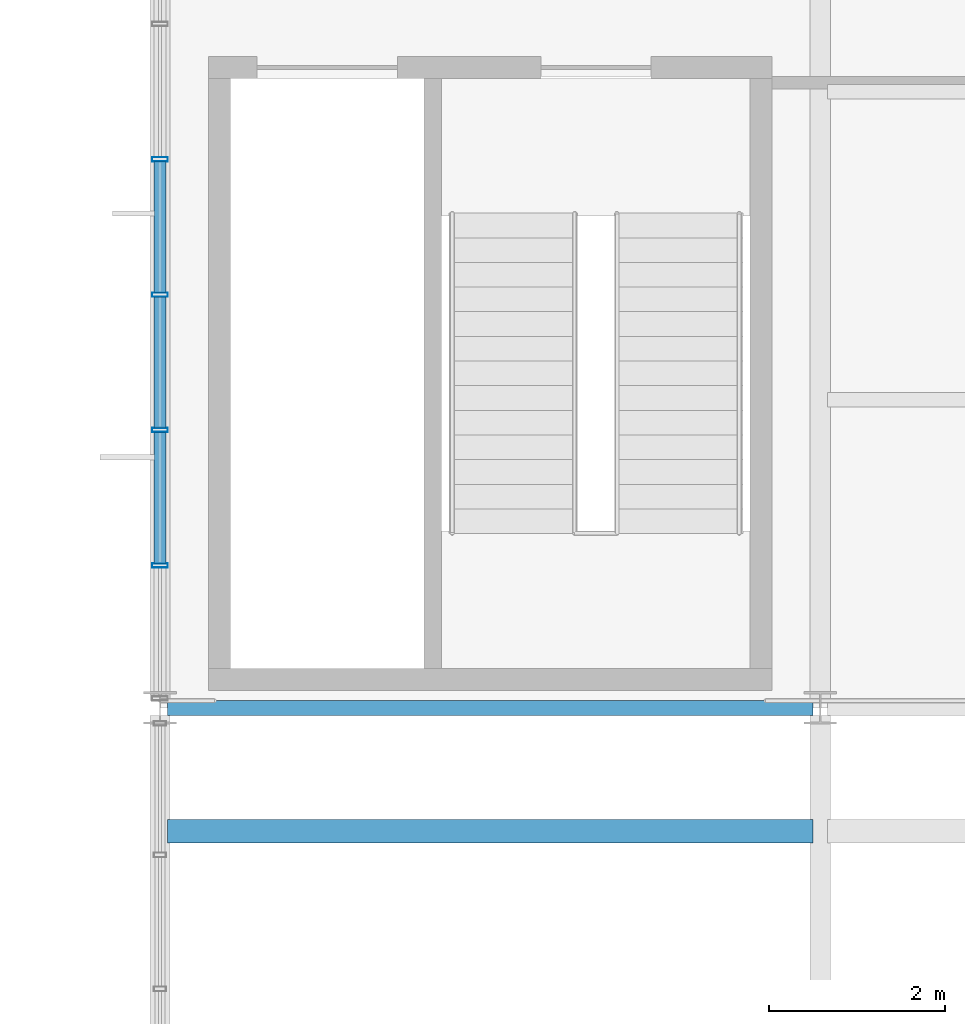
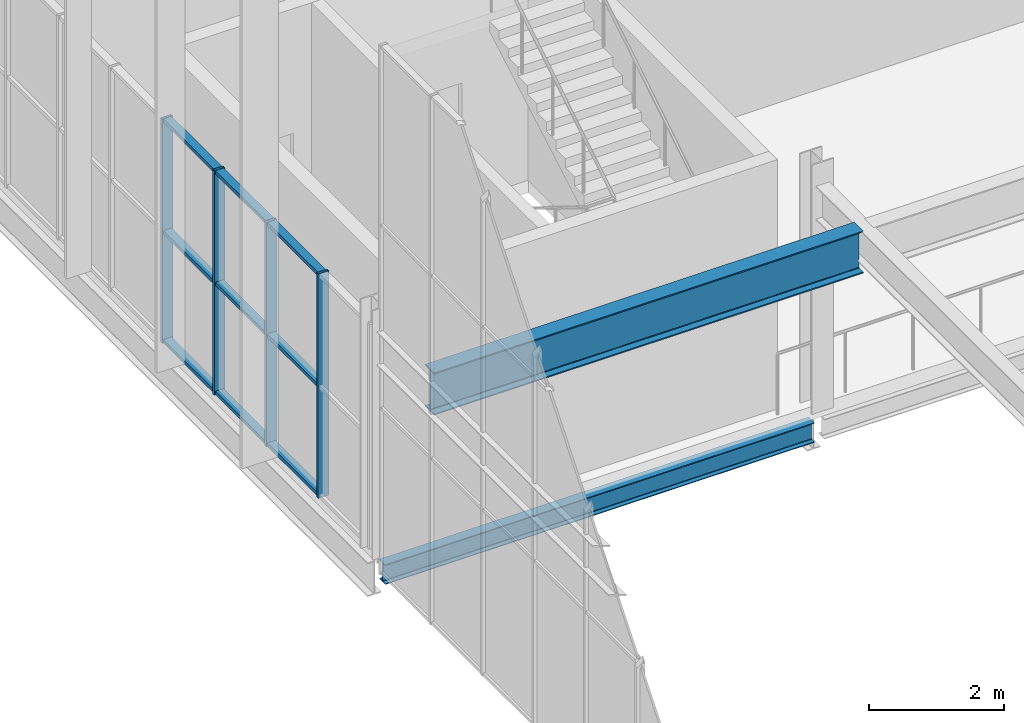
# One storey, part 74 of 324: 13 members, 2 beams, 1 element without a shape of its own.
"""IFC4 building model written with IfcOpenShell, lengths in metres."""

from ifc_helpers import new_model, si_unit, direction, frame, origin, origin_2d, place, context, subcontext, project, spatial, hollow_rectangle, i_section, extrude, material, layer, layer_set, material_profile, profile_set, type_object, element, aggregate, save


model = new_model("IFC4")

# Units and contexts
model_context = context("Model", 3, precision=1e-05, world=origin(), true_north=direction((0.0, 1.0)))
body_context = subcontext(model_context, "Body", "Model", "MODEL_VIEW")
ifc_project = project(units=[si_unit("LENGTHUNIT", "METRE"), si_unit("AREAUNIT", "SQUARE_METRE"), si_unit("VOLUMEUNIT", "CUBIC_METRE"), si_unit("PLANEANGLEUNIT", "RADIAN"), si_unit("MASSUNIT", "GRAM", prefix="KILO")], contexts=[model_context])

# Site, building, storey
site_placement = place(None, origin())
site = spatial("IfcSite", under=ifc_project, at=site_placement, CompositionType="ELEMENT")
building_placement = place(site_placement, origin())
building = spatial("IfcBuilding", under=site, at=building_placement, Name="Solvenia Promenade Tram Depot", CompositionType="ELEMENT")
storey_placement = place(building_placement, frame((0.0, 0.0, 4.5)))
storey = spatial("IfcBuildingStorey", under=building, at=storey_placement, Name="L01", CompositionType="ELEMENT", Elevation=4.5)

# Curtain wall, members
ifc_material_1 = material(Name="Anodized aluminium AW-6063 T6", Category="aluminium")
ifc_layer = layer(ifc_material_1, 0.14990234375, Name="Anodized aluminium AW-6063 T6", Category="aluminium")
ifc_layer_set = layer_set([ifc_layer], Name="Anodized aluminium AW-6063 T6")
curtain_wall_type = type_object("IfcCurtainWallType", Name="CW-Court-1500", PredefinedType="NOTDEFINED", material=ifc_layer_set)
curtain_wall_placement = place(storey_placement, origin())
curtain_wall = element("IfcCurtainWall", 1, at=curtain_wall_placement, inside=storey, type_object=curtain_wall_type, Name="Curtain Wall CW-V2W-L1-1", PredefinedType="NOTDEFINED")
ifc_material_profile_1 = material_profile(ifc_material_1, hollow_rectangle(XDim=0.179931640625, YDim=0.050048828125, WallThickness=0.00390625, at=origin_2d()), Name="ALU-M2", Category="aluminium")
ifc_profile_set_1 = profile_set([ifc_material_profile_1], Name="Anodized aluminium AW-6063 T6")
member_type_1 = type_object("IfcMemberType", Name="CWM-Mullion-2", PredefinedType="MULLION", material=ifc_profile_set_1)
member_1_placement = place(storey_placement, frame((105.0, 39.61767578125, 0.0), z_axis=(0.0, 0.0, 1.0), x_axis=(-1.0, 0.0, 0.0)))
member_1 = element("IfcMember", 2, at=member_1_placement, type_object=member_type_1, Name="CW-5 mullion 2", PredefinedType="MULLION", context=body_context, shape_type="SweptSolid", body=[
    extrude(hollow_rectangle(XDim=0.179931640625, YDim=0.050048828125, WallThickness=0.00390625, at=origin_2d()), origin(), (0.0, 0.0, 1.0), 4.050048828125),
])
member_2_placement = place(storey_placement, frame((105.0, 41.155517578125, 0.0), z_axis=(0.0, 0.0, 1.0), x_axis=(-1.0, 0.0, 0.0)))
member_2 = element("IfcMember", 3, at=member_2_placement, type_object=member_type_1, Name="CW-5 mullion 3", PredefinedType="MULLION", context=body_context, shape_type="SweptSolid", body=[
    extrude(hollow_rectangle(XDim=0.179931640625, YDim=0.050048828125, WallThickness=0.00390625, at=origin_2d()), origin(), (0.0, 0.0, 1.0), 4.050048828125),
])
member_3_placement = place(storey_placement, frame((105.0, 42.693359375, 0.0), z_axis=(0.0, 0.0, 1.0), x_axis=(-1.0, 0.0, 0.0)))
member_3 = element("IfcMember", 4, at=member_3_placement, type_object=member_type_1, Name="CW-5 mullion 4", PredefinedType="MULLION", context=body_context, shape_type="SweptSolid", body=[
    extrude(hollow_rectangle(XDim=0.179931640625, YDim=0.050048828125, WallThickness=0.00390625, at=origin_2d()), origin(), (0.0, 0.0, 1.0), 4.050048828125),
])
member_4_placement = place(storey_placement, frame((105.0, 44.231201171875, 0.0), z_axis=(0.0, 0.0, 1.0), x_axis=(-1.0, 0.0, 0.0)))
member_4 = element("IfcMember", 5, at=member_4_placement, type_object=member_type_1, Name="CW-5 mullion 5", PredefinedType="MULLION", context=body_context, shape_type="SweptSolid", body=[
    extrude(hollow_rectangle(XDim=0.179931640625, YDim=0.050048828125, WallThickness=0.00390625, at=origin_2d()), origin(), (0.0, 0.0, 1.0), 4.050048828125),
])
ifc_material_profile_2 = material_profile(ifc_material_1, hollow_rectangle(XDim=0.139892578125, YDim=0.06494140625, WallThickness=0.00390625, at=origin_2d()), Name="ALU-T2", Category="aluminium")
ifc_profile_set_2 = profile_set([ifc_material_profile_2], Name="Anodized aluminium AW-6063 T6")
member_type_2 = type_object("IfcMemberType", Name="CWT-Transom-2", PredefinedType="USERDEFINED", material=ifc_profile_set_2)
member_5_placement = place(storey_placement, frame((105.0, 39.642822265625, 0.032470703125), z_axis=(0.0, 1.0, 0.0), x_axis=(-1.0, 0.0, 0.0)))
member_5 = element("IfcMember", 6, at=member_5_placement, type_object=member_type_2, Name="CW-5 transom 2.1", ObjectType="TRANSOM", PredefinedType="USERDEFINED", context=body_context, shape_type="SweptSolid", body=[
    extrude(hollow_rectangle(XDim=0.139892578125, YDim=0.06494140625, WallThickness=0.00390625, at=origin_2d()), origin(), (0.0, 0.0, 1.0), 1.48779296875),
])
member_6_placement = place(storey_placement, frame((105.0, 39.642822265625, 2.0), z_axis=(0.0, 1.0, 0.0), x_axis=(-1.0, 0.0, 0.0)))
member_6 = element("IfcMember", 7, at=member_6_placement, type_object=member_type_2, Name="CW-5 transom 2.2", ObjectType="TRANSOM", PredefinedType="USERDEFINED", context=body_context, shape_type="SweptSolid", body=[
    extrude(hollow_rectangle(XDim=0.139892578125, YDim=0.06494140625, WallThickness=0.00390625, at=origin_2d()), origin(), (0.0, 0.0, 1.0), 1.48779296875),
])
member_7_placement = place(storey_placement, frame((105.0, 39.642822265625, 4.017578125), z_axis=(0.0, 1.0, 0.0), x_axis=(-1.0, 0.0, 0.0)))
member_7 = element("IfcMember", 8, at=member_7_placement, type_object=member_type_2, Name="CW-5 transom 2.3", ObjectType="TRANSOM", PredefinedType="USERDEFINED", context=body_context, shape_type="SweptSolid", body=[
    extrude(hollow_rectangle(XDim=0.139892578125, YDim=0.06494140625, WallThickness=0.00390625, at=origin_2d()), origin(), (0.0, 0.0, 1.0), 1.48779296875),
])
member_8_placement = place(storey_placement, frame((105.0, 41.1806640625, 0.032470703125), z_axis=(0.0, 1.0, 0.0), x_axis=(-1.0, 0.0, 0.0)))
member_8 = element("IfcMember", 9, at=member_8_placement, type_object=member_type_2, Name="CW-5 transom 3.1", ObjectType="TRANSOM", PredefinedType="USERDEFINED", context=body_context, shape_type="SweptSolid", body=[
    extrude(hollow_rectangle(XDim=0.139892578125, YDim=0.06494140625, WallThickness=0.00390625, at=origin_2d()), origin(), (0.0, 0.0, 1.0), 1.487548828125),
])
member_9_placement = place(storey_placement, frame((105.0, 41.1806640625, 2.0), z_axis=(0.0, 1.0, 0.0), x_axis=(-1.0, 0.0, 0.0)))
member_9 = element("IfcMember", 10, at=member_9_placement, type_object=member_type_2, Name="CW-5 transom 3.2", ObjectType="TRANSOM", PredefinedType="USERDEFINED", context=body_context, shape_type="SweptSolid", body=[
    extrude(hollow_rectangle(XDim=0.139892578125, YDim=0.06494140625, WallThickness=0.00390625, at=origin_2d()), origin(), (0.0, 0.0, 1.0), 1.487548828125),
])
member_10_placement = place(storey_placement, frame((105.0, 41.1806640625, 4.017578125), z_axis=(0.0, 1.0, 0.0), x_axis=(-1.0, 0.0, 0.0)))
member_10 = element("IfcMember", 11, at=member_10_placement, type_object=member_type_2, Name="CW-5 transom 3.3", ObjectType="TRANSOM", PredefinedType="USERDEFINED", context=body_context, shape_type="SweptSolid", body=[
    extrude(hollow_rectangle(XDim=0.139892578125, YDim=0.06494140625, WallThickness=0.00390625, at=origin_2d()), origin(), (0.0, 0.0, 1.0), 1.487548828125),
])
member_11_placement = place(storey_placement, frame((105.0, 42.71826171875, 0.032470703125), z_axis=(0.0, 1.0, 0.0), x_axis=(-1.0, 0.0, 0.0)))
member_11 = element("IfcMember", 12, at=member_11_placement, type_object=member_type_2, Name="CW-5 transom 4.1", ObjectType="TRANSOM", PredefinedType="USERDEFINED", context=body_context, shape_type="SweptSolid", body=[
    extrude(hollow_rectangle(XDim=0.139892578125, YDim=0.06494140625, WallThickness=0.00390625, at=origin_2d()), origin(), (0.0, 0.0, 1.0), 1.48779296875),
])
member_12_placement = place(storey_placement, frame((105.0, 42.71826171875, 2.0), z_axis=(0.0, 1.0, 0.0), x_axis=(-1.0, 0.0, 0.0)))
member_12 = element("IfcMember", 13, at=member_12_placement, type_object=member_type_2, Name="CW-5 transom 4.2", ObjectType="TRANSOM", PredefinedType="USERDEFINED", context=body_context, shape_type="SweptSolid", body=[
    extrude(hollow_rectangle(XDim=0.139892578125, YDim=0.06494140625, WallThickness=0.00390625, at=origin_2d()), origin(), (0.0, 0.0, 1.0), 1.48779296875),
])
member_13_placement = place(storey_placement, frame((105.0, 42.71826171875, 4.017578125), z_axis=(0.0, 1.0, 0.0), x_axis=(-1.0, 0.0, 0.0)))
member_13 = element("IfcMember", 14, at=member_13_placement, type_object=member_type_2, Name="CW-5 transom 4.3", ObjectType="TRANSOM", PredefinedType="USERDEFINED", context=body_context, shape_type="SweptSolid", body=[
    extrude(hollow_rectangle(XDim=0.139892578125, YDim=0.06494140625, WallThickness=0.00390625, at=origin_2d()), origin(), (0.0, 0.0, 1.0), 1.48779296875),
])
aggregate(curtain_wall, [member_1, member_2, member_3, member_4, member_5, member_6, member_7, member_8, member_9, member_10, member_11, member_12, member_13])

# Beams
ifc_material_2 = material(Name="Structural steel ASTM A992 Gr. 50", Category="steel")
ifc_material_profile_3 = material_profile(ifc_material_2, i_section(OverallWidth=0.26708984375, OverallDepth=0.761962890625, WebThickness=0.014404296875, FlangeThickness=0.021484375, FilletRadius=0.01806640625, at=origin_2d()), Name="W760x173", Category="steel")
ifc_profile_set_3 = profile_set([ifc_material_profile_3], Name="Structural steel ASTM A992 Gr. 50")
beam_type_1 = type_object("IfcBeamType", Name="Gird-W760x173", PredefinedType="BEAM", material=ifc_profile_set_3)
beam_1_placement = place(storey_placement, frame((105.0849609375, 36.60009765625, 3.718994140625), z_axis=(1.0, 0.0, 0.0), x_axis=(0.0, 1.0, 0.0)))
element("IfcBeam", 15, at=beam_1_placement, inside=storey, type_object=beam_type_1, Name="Bridge Crane Runway Girder BM-L01-0925", PredefinedType="BEAM", context=body_context, shape_type="SweptSolid", body=[
    extrude(i_section(OverallWidth=0.26708984375, OverallDepth=0.761962890625, WebThickness=0.014404296875, FlangeThickness=0.021484375, FilletRadius=0.01806640625, at=origin_2d()), origin(), (0.0, 0.0, 1.0), 7.330078125),
])
ifc_material_profile_4 = material_profile(ifc_material_2, i_section(OverallWidth=0.172119140625, OverallDepth=0.35791015625, WebThickness=0.0078125, FlangeThickness=0.01318359375, FilletRadius=0.010986328125, at=origin_2d()), Name="W360x57", Category="steel")
ifc_profile_set_4 = profile_set([ifc_material_profile_4], Name="Structural steel ASTM A992 Gr. 50")
beam_type_2 = type_object("IfcBeamType", Name="Spandrel-W360x57", PredefinedType="SPANDREL", material=ifc_profile_set_4)
beam_2_placement = place(storey_placement, frame((105.0849609375, 38.0, -0.4189453125), z_axis=(1.0, 0.0, 0.0), x_axis=(0.0, 1.0, 0.0)))
element("IfcBeam", 16, at=beam_2_placement, inside=storey, type_object=beam_type_2, Name="Perimeter Spandrel BM-L01-0120", PredefinedType="SPANDREL", context=body_context, shape_type="SweptSolid", body=[
    extrude(i_section(OverallWidth=0.172119140625, OverallDepth=0.35791015625, WebThickness=0.0078125, FlangeThickness=0.01318359375, FilletRadius=0.010986328125, at=origin_2d()), origin(), (0.0, 0.0, 1.0), 7.330078125),
])

save(model, "model.ifc")
